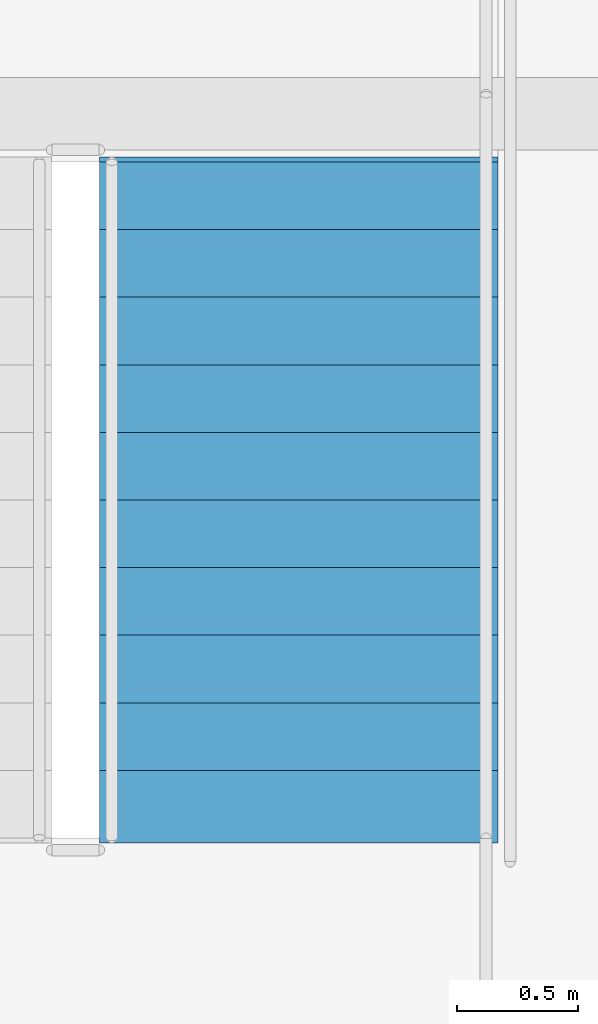
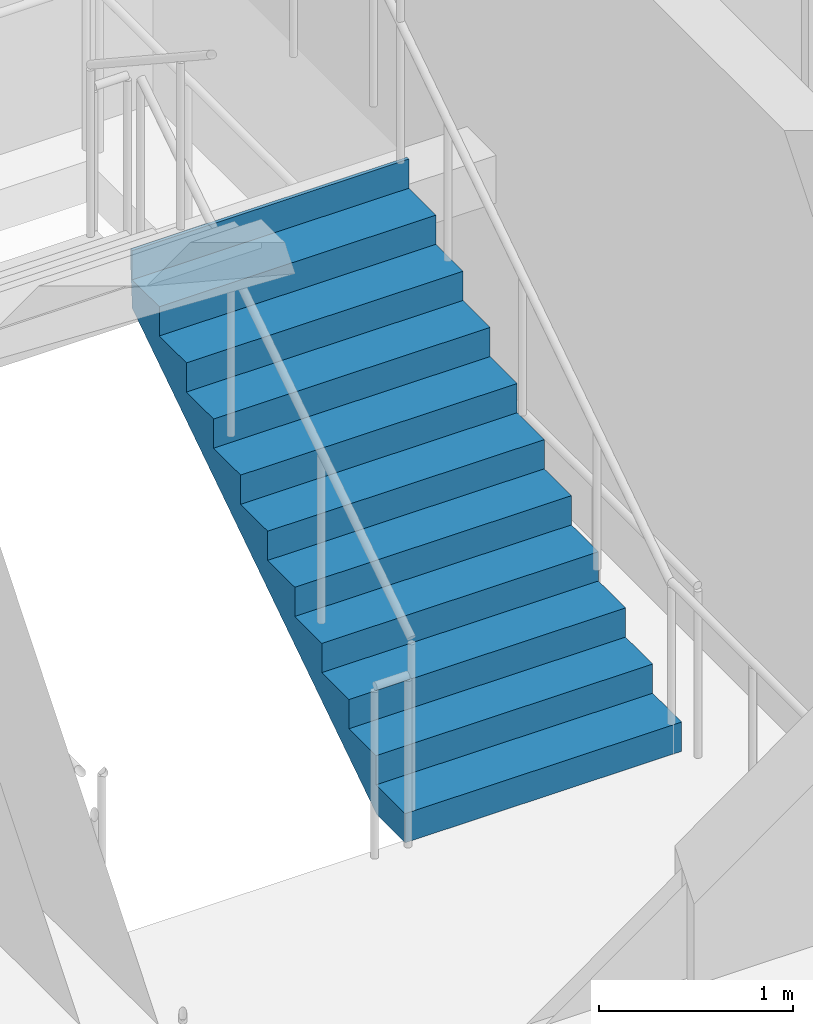
# One storey, part 37 of 42: 1 stair flight, 1 element without a shape of its own.
"""IFC4 building model written with IfcOpenShell, lengths in metres."""

from ifc_helpers import new_model, si_unit, direction, frame, origin, place, context, subcontext, project, spatial, polygons, material, type_object, element, aggregate, save


model = new_model("IFC4")

# Units and contexts
model_context = context("Model", 3, precision=1e-05, world=origin(), true_north=direction((0.0, 1.0)))
body_context = subcontext(model_context, "Body", "Model", "MODEL_VIEW")
ifc_project = project(units=[si_unit("LENGTHUNIT", "METRE"), si_unit("AREAUNIT", "SQUARE_METRE"), si_unit("VOLUMEUNIT", "CUBIC_METRE"), si_unit("PLANEANGLEUNIT", "RADIAN"), si_unit("MASSUNIT", "GRAM", prefix="KILO")], contexts=[model_context])

# Site, building, storey
site_placement = place(None, origin())
site = spatial("IfcSite", under=ifc_project, at=site_placement, CompositionType="ELEMENT")
building_placement = place(site_placement, origin())
building = spatial("IfcBuilding", under=site, at=building_placement, Name="Serunith Strait Residences", CompositionType="ELEMENT")
storey_placement = place(building_placement, frame((0.0, 0.0, 293.449951171875)))
storey = spatial("IfcBuildingStorey", under=building, at=storey_placement, Name="L73", CompositionType="ELEMENT", Elevation=293.449951171875)

# Stair, stair flight
ifc_material = material(Name="Concrete C50/60", Category="concrete")
stair_type = type_object("IfcStairType", Name="STR-CORE-1", PredefinedType="HALF_TURN_STAIR", material=ifc_material)
stair_placement = place(storey_placement, origin())
stair = element("IfcStair", 1, at=stair_placement, inside=storey, type_object=stair_type, Name="L73 Protected Escape Stair ST-1", PredefinedType="HALF_TURN_STAIR")
stair_flight_type = type_object("IfcStairFlightType", Name="FLT-CORE-1", PredefinedType="STRAIGHT", material=ifc_material)
stair_flight_placement = place(storey_placement, frame((26.324951171875, 27.030029296875, 0.0), z_axis=(0.0, 0.0, 1.0), x_axis=(0.0, 1.0, 0.0)))
stair_flight = element("IfcStairFlight", 2, at=stair_flight_placement, type_object=stair_flight_type, Name="ST-1 flight 1", NumberOfRisers=11, NumberOfTreads=10, PredefinedType="STRAIGHT", RiserHeight=0.184090909, TreadLength=0.28, context=body_context, shape_type="Tessellation", body=[
    polygons([(-0.02001953125, -0.824951171875, 0.0), (-0.02001953125, -0.824951171875, 0.18408203125), (0.280029296875, -0.824951171875, 0.18408203125), (0.280029296875, -0.824951171875, 0.3681640625), (0.56005859375, -0.824951171875, 0.3681640625), (0.56005859375, -0.824951171875, 0.55224609375), (0.840087890625, -0.824951171875, 0.55224609375), (0.840087890625, -0.824951171875, 0.736328125), (1.1201171875, -0.824951171875, 0.736328125), (1.1201171875, -0.824951171875, 0.92041015625), (1.39990234375, -0.824951171875, 0.92041015625), (1.39990234375, -0.824951171875, 1.1044921875), (1.679931640625, -0.824951171875, 1.1044921875), (1.679931640625, -0.824951171875, 1.28857421875), (1.9599609375, -0.824951171875, 1.28857421875), (1.9599609375, -0.824951171875, 1.47265625), (2.239990234375, -0.824951171875, 1.47265625), (2.239990234375, -0.824951171875, 1.65673828125), (2.52001953125, -0.824951171875, 1.65673828125), (2.52001953125, -0.824951171875, 1.8408203125), (2.800048828125, -0.824951171875, 1.8408203125), (2.800048828125, -0.824951171875, 2.02490234375), (2.820068359375, -0.824951171875, 2.02490234375), (2.820068359375, -0.824951171875, 1.965087890625), (2.800048828125, -0.824951171875, 1.66162109375), (0.27294921875, -0.824951171875, 0.0), (-0.02001953125, -0.41259765625, 0.0), (-0.02001953125, -0.41259765625, 0.18408203125), (0.280029296875, -0.41259765625, 0.18408203125), (0.280029296875, -0.41259765625, 0.3681640625), (0.56005859375, -0.41259765625, 0.3681640625), (0.56005859375, -0.41259765625, 0.55224609375), (0.840087890625, -0.41259765625, 0.55224609375), (0.840087890625, -0.41259765625, 0.736328125), (1.1201171875, -0.41259765625, 0.736328125), (1.1201171875, -0.41259765625, 0.92041015625), (1.39990234375, -0.41259765625, 0.92041015625), (1.39990234375, -0.41259765625, 1.1044921875), (1.679931640625, -0.41259765625, 1.1044921875), (1.679931640625, -0.41259765625, 1.28857421875), (1.9599609375, -0.41259765625, 1.28857421875), (1.9599609375, -0.41259765625, 1.47265625), (2.239990234375, -0.41259765625, 1.47265625), (2.239990234375, -0.41259765625, 1.65673828125), (2.52001953125, -0.41259765625, 1.65673828125), (2.52001953125, -0.41259765625, 1.8408203125), (2.800048828125, -0.41259765625, 1.8408203125), (2.800048828125, -0.41259765625, 2.02490234375), (2.820068359375, -0.41259765625, 2.02490234375), (2.820068359375, -0.41259765625, 1.965087890625), (2.800048828125, -0.41259765625, 1.66162109375), (0.27294921875, -0.41259765625, 0.0), (-0.02001953125, 0.0, 0.0), (-0.02001953125, 0.0, 0.18408203125), (0.280029296875, 0.0, 0.18408203125), (0.280029296875, 0.0, 0.3681640625), (0.56005859375, 0.0, 0.3681640625), (0.56005859375, 0.0, 0.55224609375), (0.840087890625, 0.0, 0.55224609375), (0.840087890625, 0.0, 0.736328125), (1.1201171875, 0.0, 0.736328125), (1.1201171875, 0.0, 0.92041015625), (1.39990234375, 0.0, 0.92041015625), (1.39990234375, 0.0, 1.1044921875), (1.679931640625, 0.0, 1.1044921875), (1.679931640625, 0.0, 1.28857421875), (1.9599609375, 0.0, 1.28857421875), (1.9599609375, 0.0, 1.47265625), (2.239990234375, 0.0, 1.47265625), (2.239990234375, 0.0, 1.65673828125), (2.52001953125, 0.0, 1.65673828125), (2.52001953125, 0.0, 1.8408203125), (2.800048828125, 0.0, 1.8408203125), (2.800048828125, 0.0, 2.02490234375), (2.820068359375, 0.0, 2.02490234375), (2.820068359375, 0.0, 1.965087890625), (2.800048828125, 0.0, 1.66162109375), (0.27294921875, 0.0, 0.0), (-0.02001953125, 0.41259765625, 0.0), (-0.02001953125, 0.41259765625, 0.18408203125), (0.280029296875, 0.41259765625, 0.18408203125), (0.280029296875, 0.41259765625, 0.3681640625), (0.56005859375, 0.41259765625, 0.3681640625), (0.56005859375, 0.41259765625, 0.55224609375), (0.840087890625, 0.41259765625, 0.55224609375), (0.840087890625, 0.41259765625, 0.736328125), (1.1201171875, 0.41259765625, 0.736328125), (1.1201171875, 0.41259765625, 0.92041015625), (1.39990234375, 0.41259765625, 0.92041015625), (1.39990234375, 0.41259765625, 1.1044921875), (1.679931640625, 0.41259765625, 1.1044921875), (1.679931640625, 0.41259765625, 1.28857421875), (1.9599609375, 0.41259765625, 1.28857421875), (1.9599609375, 0.41259765625, 1.47265625), (2.239990234375, 0.41259765625, 1.47265625), (2.239990234375, 0.41259765625, 1.65673828125), (2.52001953125, 0.41259765625, 1.65673828125), (2.52001953125, 0.41259765625, 1.8408203125), (2.800048828125, 0.41259765625, 1.8408203125), (2.800048828125, 0.41259765625, 2.02490234375), (2.820068359375, 0.41259765625, 2.02490234375), (2.820068359375, 0.41259765625, 1.965087890625), (2.800048828125, 0.41259765625, 1.66162109375), (0.27294921875, 0.41259765625, 0.0), (-0.02001953125, 0.824951171875, 0.0), (-0.02001953125, 0.824951171875, 0.18408203125), (0.280029296875, 0.824951171875, 0.18408203125), (0.280029296875, 0.824951171875, 0.3681640625), (0.56005859375, 0.824951171875, 0.3681640625), (0.56005859375, 0.824951171875, 0.55224609375), (0.840087890625, 0.824951171875, 0.55224609375), (0.840087890625, 0.824951171875, 0.736328125), (1.1201171875, 0.824951171875, 0.736328125), (1.1201171875, 0.824951171875, 0.92041015625), (1.39990234375, 0.824951171875, 0.92041015625), (1.39990234375, 0.824951171875, 1.1044921875), (1.679931640625, 0.824951171875, 1.1044921875), (1.679931640625, 0.824951171875, 1.28857421875), (1.9599609375, 0.824951171875, 1.28857421875), (1.9599609375, 0.824951171875, 1.47265625), (2.239990234375, 0.824951171875, 1.47265625), (2.239990234375, 0.824951171875, 1.65673828125), (2.52001953125, 0.824951171875, 1.65673828125), (2.52001953125, 0.824951171875, 1.8408203125), (2.800048828125, 0.824951171875, 1.8408203125), (2.800048828125, 0.824951171875, 2.02490234375), (2.820068359375, 0.824951171875, 2.02490234375), (2.820068359375, 0.824951171875, 1.965087890625), (2.800048828125, 0.824951171875, 1.66162109375), (0.27294921875, 0.824951171875, 0.0)], [[[1, 2, 28, 27]], [[2, 3, 29, 28]], [[3, 4, 30, 29]], [[4, 5, 31, 30]], [[5, 6, 32, 31]], [[6, 7, 33, 32]], [[7, 8, 34, 33]], [[8, 9, 35, 34]], [[9, 10, 36, 35]], [[10, 11, 37, 36]], [[11, 12, 38, 37]], [[12, 13, 39, 38]], [[13, 14, 40, 39]], [[14, 15, 41, 40]], [[15, 16, 42, 41]], [[16, 17, 43, 42]], [[17, 18, 44, 43]], [[18, 19, 45, 44]], [[19, 20, 46, 45]], [[20, 21, 47, 46]], [[21, 22, 48, 47]], [[22, 23, 49, 48]], [[23, 24, 50, 49]], [[24, 25, 51, 50]], [[25, 26, 52, 51]], [[26, 1, 27, 52]], [[27, 28, 54, 53]], [[28, 29, 55, 54]], [[29, 30, 56, 55]], [[30, 31, 57, 56]], [[31, 32, 58, 57]], [[32, 33, 59, 58]], [[33, 34, 60, 59]], [[34, 35, 61, 60]], [[35, 36, 62, 61]], [[36, 37, 63, 62]], [[37, 38, 64, 63]], [[38, 39, 65, 64]], [[39, 40, 66, 65]], [[40, 41, 67, 66]], [[41, 42, 68, 67]], [[42, 43, 69, 68]], [[43, 44, 70, 69]], [[44, 45, 71, 70]], [[45, 46, 72, 71]], [[46, 47, 73, 72]], [[47, 48, 74, 73]], [[48, 49, 75, 74]], [[49, 50, 76, 75]], [[50, 51, 77, 76]], [[51, 52, 78, 77]], [[52, 27, 53, 78]], [[53, 54, 80, 79]], [[54, 55, 81, 80]], [[55, 56, 82, 81]], [[56, 57, 83, 82]], [[57, 58, 84, 83]], [[58, 59, 85, 84]], [[59, 60, 86, 85]], [[60, 61, 87, 86]], [[61, 62, 88, 87]], [[62, 63, 89, 88]], [[63, 64, 90, 89]], [[64, 65, 91, 90]], [[65, 66, 92, 91]], [[66, 67, 93, 92]], [[67, 68, 94, 93]], [[68, 69, 95, 94]], [[69, 70, 96, 95]], [[70, 71, 97, 96]], [[71, 72, 98, 97]], [[72, 73, 99, 98]], [[73, 74, 100, 99]], [[74, 75, 101, 100]], [[75, 76, 102, 101]], [[76, 77, 103, 102]], [[77, 78, 104, 103]], [[78, 53, 79, 104]], [[79, 80, 106, 105]], [[80, 81, 107, 106]], [[81, 82, 108, 107]], [[82, 83, 109, 108]], [[83, 84, 110, 109]], [[84, 85, 111, 110]], [[85, 86, 112, 111]], [[86, 87, 113, 112]], [[87, 88, 114, 113]], [[88, 89, 115, 114]], [[89, 90, 116, 115]], [[90, 91, 117, 116]], [[91, 92, 118, 117]], [[92, 93, 119, 118]], [[93, 94, 120, 119]], [[94, 95, 121, 120]], [[95, 96, 122, 121]], [[96, 97, 123, 122]], [[97, 98, 124, 123]], [[98, 99, 125, 124]], [[99, 100, 126, 125]], [[100, 101, 127, 126]], [[101, 102, 128, 127]], [[102, 103, 129, 128]], [[103, 104, 130, 129]], [[104, 79, 105, 130]], [[26, 25, 24, 23, 22, 21, 20, 19, 18, 17, 16, 15, 14, 13, 12, 11, 10, 9, 8, 7, 6, 5, 4, 3, 2, 1]], [[105, 106, 107, 108, 109, 110, 111, 112, 113, 114, 115, 116, 117, 118, 119, 120, 121, 122, 123, 124, 125, 126, 127, 128, 129, 130]]], closed=True),
])
aggregate(stair, [stair_flight])

save(model, "model.ifc")
